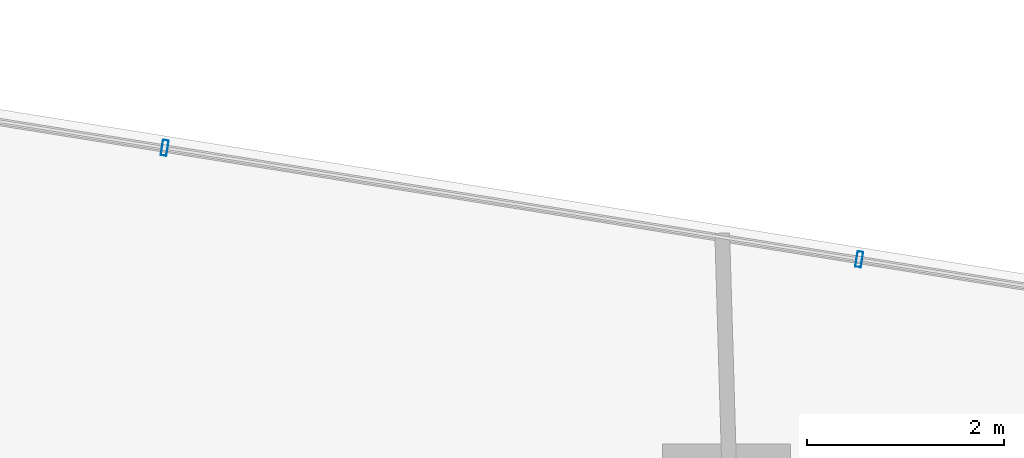
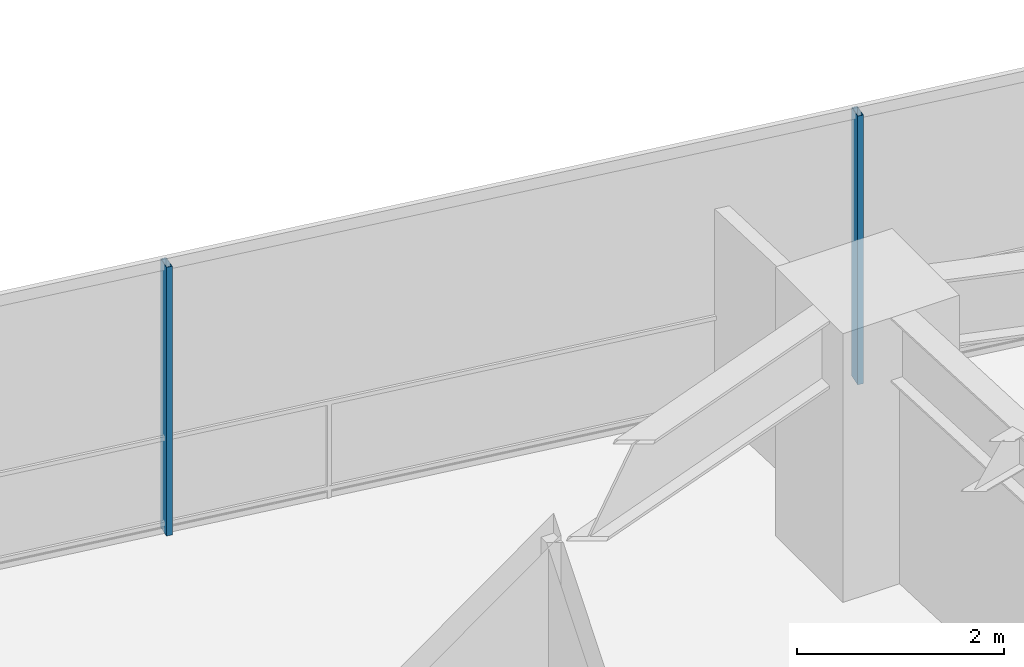
# One storey, part 19 of 31: 2 members, 1 element without a shape of its own.
"""IFC4 building model written with IfcOpenShell, lengths in metres."""

from ifc_helpers import new_model, si_unit, direction, frame, origin, origin_2d, place, context, subcontext, project, spatial, hollow_rectangle, extrude, material, layer, layer_set, material_profile, profile_set, type_object, element, aggregate, save


model = new_model("IFC4")

# Units and contexts
model_context = context("Model", 3, precision=1e-05, world=origin(), true_north=direction((0.0, 1.0)))
body_context = subcontext(model_context, "Body", "Model", "MODEL_VIEW")
ifc_project = project(units=[si_unit("LENGTHUNIT", "METRE"), si_unit("AREAUNIT", "SQUARE_METRE"), si_unit("VOLUMEUNIT", "CUBIC_METRE"), si_unit("PLANEANGLEUNIT", "RADIAN"), si_unit("MASSUNIT", "GRAM", prefix="KILO")], contexts=[model_context])

# Site, building, storey
site_placement = place(None, origin())
site = spatial("IfcSite", under=ifc_project, at=site_placement, CompositionType="ELEMENT")
building_placement = place(site_placement, origin())
building = spatial("IfcBuilding", under=site, at=building_placement, Name="Qarnah Convention Tower", CompositionType="ELEMENT")
storey_placement = place(building_placement, frame((0.0, 0.0, 33.89990234375)))
storey = spatial("IfcBuildingStorey", under=building, at=storey_placement, Name="L07", CompositionType="ELEMENT", Elevation=33.89990234375)

# Curtain wall, members
ifc_material_1 = material(Name="Tempered Low-E dark glass", Category="glass")
ifc_layer = layer(ifc_material_1, 0.16796875)
ifc_layer_set = layer_set([ifc_layer], Name="Tempered Low-E dark glass")
curtain_wall_type = type_object("IfcCurtainWallType", Name="CWS-01", PredefinedType="NOTDEFINED", material=ifc_layer_set)
curtain_wall_placement = place(storey_placement, origin())
curtain_wall = element("IfcCurtainWall", 1, at=curtain_wall_placement, inside=storey, type_object=curtain_wall_type, Name="L07 unitised curtain wall CW-L07-F1", PredefinedType="NOTDEFINED")
ifc_material_2 = material(Name="Black anodised aluminium", Category="aluminium")
ifc_material_profile = material_profile(ifc_material_2, hollow_rectangle(XDim=0.06005859375, YDim=0.159912109375, WallThickness=0.00390625, at=origin_2d()), Name="MUL-60X160")
ifc_profile_set = profile_set([ifc_material_profile], Name="Black anodised aluminium")
member_type = type_object("IfcMemberType", Name="MUL-T1", PredefinedType="MULLION", material=ifc_profile_set)
member_1_placement = place(storey_placement, frame((30.913818359375, 46.60107421875, 0.0), z_axis=(0.0, 0.0, 1.0), x_axis=(0.987358613708, -0.15850226477, 0.0)))
member_1 = element("IfcMember", 2, at=member_1_placement, type_object=member_type, Name="CW-L07-F1 mullion 2", PredefinedType="MULLION", context=body_context, shape_type="SweptSolid", body=[
    extrude(hollow_rectangle(XDim=0.06005859375, YDim=0.159912109375, WallThickness=0.00390625, at=origin_2d()), origin(), (0.0, 0.0, 1.0), 3.170166015625),
])
member_2_placement = place(storey_placement, frame((37.9716796875, 45.468017578125, 0.0), z_axis=(0.0, 0.0, 1.0), x_axis=(0.987358613708, -0.15850226477, 0.0)))
member_2 = element("IfcMember", 3, at=member_2_placement, type_object=member_type, Name="CW-L07-F1 mullion 3", PredefinedType="MULLION", context=body_context, shape_type="SweptSolid", body=[
    extrude(hollow_rectangle(XDim=0.06005859375, YDim=0.159912109375, WallThickness=0.00390625, at=origin_2d()), origin(), (0.0, 0.0, 1.0), 3.170166015625),
])
aggregate(curtain_wall, [member_1, member_2])

save(model, "model.ifc")
